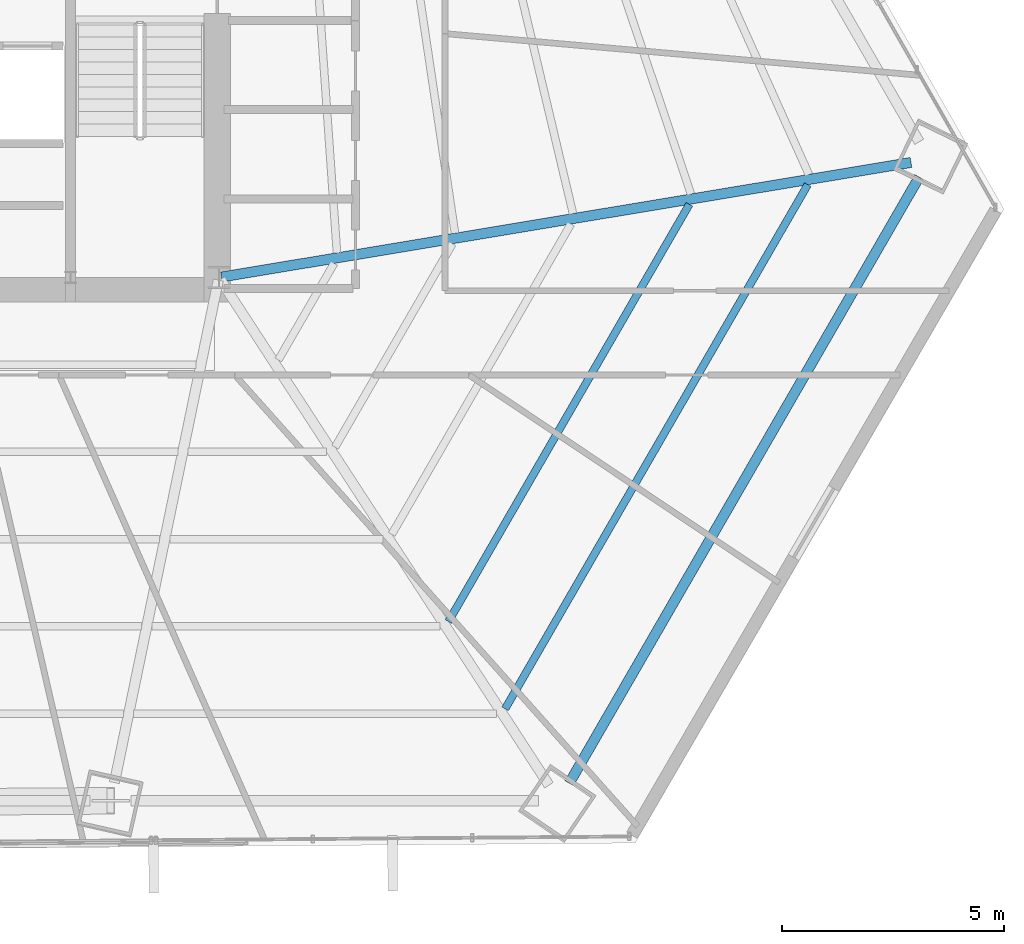
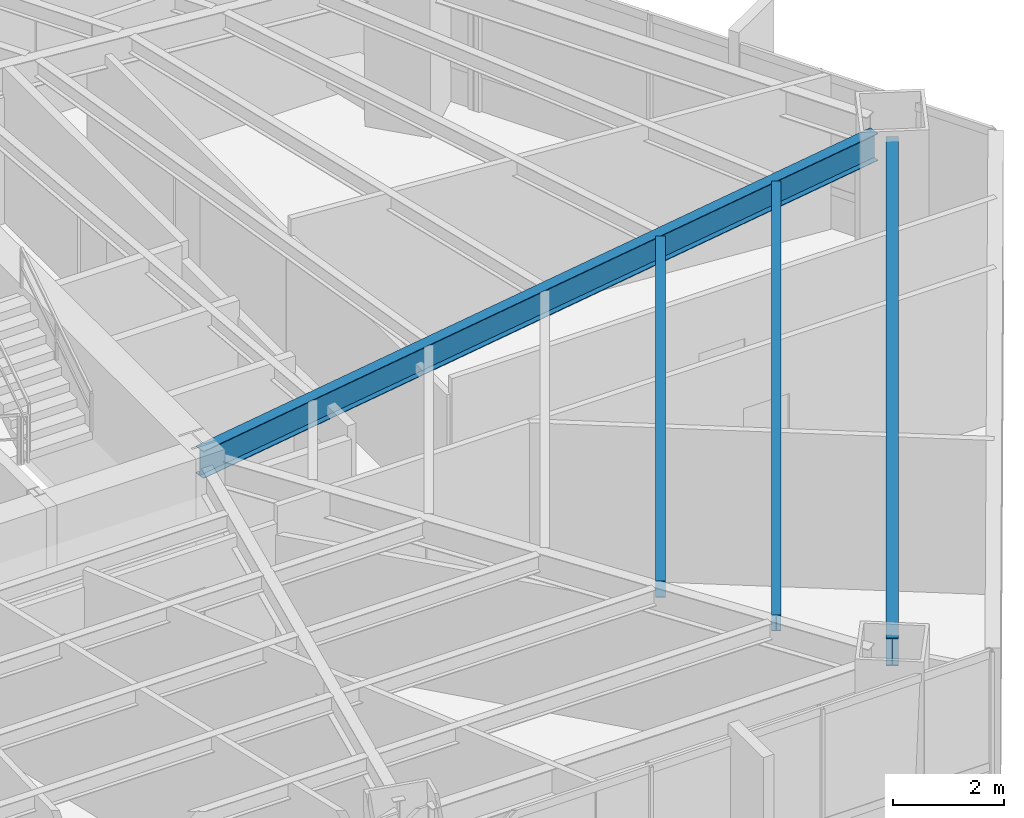
# One storey, part 19 of 36: 4 beams.
"""IFC4 building model written with IfcOpenShell, lengths in metres."""

import ifcopenshell
import ifcopenshell.guid

model = None  # the IFC model being written
_history = None  # IfcOwnerHistory: only IFC2X3 demands one
_inside = {}  # id of a spatial element -> (the spatial element, [elements in it])
_under = {}  # id of a project, library or spatial element -> (it, [spatial elements below it])
_declared = {}  # id of a project -> (the project, [libraries it declares])
_typed = {}  # id of a type object -> (the type object, [elements of that type])
_made_of = {}  # id of a material, layer set ... -> (it, [elements and type objects made of it])


def new_model(schema):
    """Start an empty IFC model of exactly this schema.

    Asked for "IFC4X3", IfcOpenShell would pick the latest addendum, in which some entities
    have other attributes; the version numbers below select the first issue.
    IFC2X3 requires an IfcOwnerHistory on every rooted entity: one is made here for all.
    """
    global model, _history
    if schema == "IFC4X3":
        model = ifcopenshell.file(schema_version=(4, 3, 0, 0))
    else:
        model = ifcopenshell.file(schema=schema)
    _inside.clear()
    _under.clear()
    _declared.clear()
    _typed.clear()
    _made_of.clear()
    _history = None
    if model.schema == "IFC2X3":
        org = make("IfcOrganization", Name="unknown")
        user = make(
            "IfcPersonAndOrganization",
            ThePerson=make("IfcPerson", FamilyName="unknown"),
            TheOrganization=org,
        )
        app = make(
            "IfcApplication",
            ApplicationDeveloper=org,
            Version="unknown",
            ApplicationFullName="unknown",
            ApplicationIdentifier="unknown",
        )
        _history = make(
            "IfcOwnerHistory",
            OwningUser=user,
            OwningApplication=app,
            ChangeAction="ADDED",
            CreationDate=0,
        )
    return model


def make(cls, **values):
    """One entity of the class cls with the attributes given. An attribute that is None is left unset."""
    return model.create_entity(
        cls, **{name: value for name, value in values.items() if value is not None}
    )


def rooted(cls, **values):
    """An entity with a GlobalId (a new one), such as an element, a storey or a relation."""
    return make(cls, GlobalId=ifcopenshell.guid.new(), OwnerHistory=_history, **values)


def si_unit(unit_type, name, prefix=None):
    """IfcSIUnit, for example si_unit("LENGTHUNIT", "METRE", prefix="MILLI")."""
    return make("IfcSIUnit", UnitType=unit_type, Prefix=prefix, Name=name)


def assignment(units):
    """IfcUnitAssignment: the units of a project."""
    return None if units is None else make("IfcUnitAssignment", Units=units)


def point(xyz):
    """IfcCartesianPoint."""
    return None if xyz is None else make("IfcCartesianPoint", Coordinates=xyz)


def direction(xyz):
    """IfcDirection."""
    return None if xyz is None else make("IfcDirection", DirectionRatios=xyz)


def frame(location, z_axis=None, x_axis=None):
    """IfcAxis2Placement3D, a coordinate frame: its origin and axes. An axis left out is left unset."""
    return make(
        "IfcAxis2Placement3D",
        Location=point(location),
        Axis=direction(z_axis),
        RefDirection=direction(x_axis),
    )


def frame_2d(location, x_axis=None):
    """IfcAxis2Placement2D, a coordinate frame in the plane: its origin and x axis."""
    return make(
        "IfcAxis2Placement2D", Location=point(location), RefDirection=direction(x_axis)
    )


def origin():
    """The frame at (0, 0, 0) with its axes left unset."""
    return frame((0.0, 0.0, 0.0))


def origin_2d():
    """The frame at (0, 0) in the plane with its x axis left unset."""
    return frame_2d((0.0, 0.0))


def place(relative_to, where):
    """IfcLocalPlacement: puts the frame where relative to a parent placement (None: the world)."""
    return make(
        "IfcLocalPlacement", PlacementRelTo=relative_to, RelativePlacement=where
    )


def context(
    kind, dimensions, precision=None, world=None, true_north=None, identifier=None
):
    """IfcGeometricRepresentationContext, for example the 3D "Model" context."""
    return make(
        "IfcGeometricRepresentationContext",
        ContextIdentifier=identifier,
        ContextType=kind,
        CoordinateSpaceDimension=dimensions,
        Precision=precision,
        WorldCoordinateSystem=world,
        TrueNorth=true_north,
    )


def subcontext(parent, identifier, kind, view, scale=None):
    """IfcGeometricRepresentationSubContext, for example "Body" below "Model"."""
    return make(
        "IfcGeometricRepresentationSubContext",
        ContextIdentifier=identifier,
        ContextType=kind,
        ParentContext=parent,
        TargetScale=scale,
        TargetView=view,
    )


def project(units=None, contexts=None):
    """IfcProject with its units and contexts."""
    return rooted(
        "IfcProject",
        Name="project",
        RepresentationContexts=contexts,
        UnitsInContext=assignment(units),
    )


def spatial(cls, under=None, at=None, **own):
    """A site, building, storey or space (cls), placed at a placement, below another one or the project."""
    s = rooted(cls, ObjectPlacement=at, **own)
    if under is not None:
        _under.setdefault(under.id(), (under, []))[1].append(s)
    return s


def profile(cls, at=None, kind="AREA", **sizes):
    """A parametric profile (cls). Its sizes go by their IFC names, for example OverallWidth=200.0."""
    return make(cls, ProfileType=kind, Position=at, **sizes)


def i_section(**sizes):
    """IfcIShapeProfileDef."""
    return profile("IfcIShapeProfileDef", **sizes)


def extrude(swept, where, along, depth):
    """IfcExtrudedAreaSolid: the profile swept, set in the frame where, extruded along a direction by depth."""
    return make(
        "IfcExtrudedAreaSolid",
        SweptArea=swept,
        Position=where,
        ExtrudedDirection=direction(along),
        Depth=depth,
    )


def shape(context_of_items, identifier, shape_type, items):
    """IfcShapeRepresentation: the items that make up one representation, for example the "Body"."""
    return make(
        "IfcShapeRepresentation",
        ContextOfItems=context_of_items,
        RepresentationIdentifier=identifier,
        RepresentationType=shape_type,
        Items=items,
    )


def source(mapping_origin, context_of_items, identifier, shape_type, items):
    """IfcRepresentationMap: a shape defined once, which mapped items show again and again."""
    return make(
        "IfcRepresentationMap",
        MappingOrigin=mapping_origin,
        MappedRepresentation=shape(context_of_items, identifier, shape_type, items),
    )


def transform(
    local_origin,
    x_axis=None,
    y_axis=None,
    z_axis=None,
    scale=None,
    scale2=None,
    scale3=None,
    uniform=True,
):
    """IfcCartesianTransformationOperator3D, or its non-uniform kind. x_axis, y_axis, z_axis: its Axis1, 2, 3."""
    if uniform:
        return make(
            "IfcCartesianTransformationOperator3D",
            Axis1=direction(x_axis),
            Axis2=direction(y_axis),
            LocalOrigin=point(local_origin),
            Scale=scale,
            Axis3=direction(z_axis),
        )
    return make(
        "IfcCartesianTransformationOperator3DnonUniform",
        Axis1=direction(x_axis),
        Axis2=direction(y_axis),
        LocalOrigin=point(local_origin),
        Scale=scale,
        Axis3=direction(z_axis),
        Scale2=scale2,
        Scale3=scale3,
    )


def mapped(mapping_source, mapping_target):
    """IfcMappedItem: shows the shape of a source again, moved by a transform."""
    return make(
        "IfcMappedItem", MappingSource=mapping_source, MappingTarget=mapping_target
    )


def material(Name=None, Category=None):
    """IfcMaterial."""
    return make("IfcMaterial", Name=Name, Category=Category)


def material_profile(
    of_material, cross_section, Name=None, Category=None, Priority=None
):
    """IfcMaterialProfile: a cross section and its material."""
    return make(
        "IfcMaterialProfile",
        Name=Name,
        Material=of_material,
        Profile=cross_section,
        Priority=Priority,
        Category=Category,
    )


def profile_set(profiles, Name=None, composite=None):
    """IfcMaterialProfileSet."""
    return make(
        "IfcMaterialProfileSet",
        Name=Name,
        MaterialProfiles=profiles,
        CompositeProfile=composite,
    )


def made_of(thing, what):
    """Note that an element or type object is made of a material, layer set ...; save() writes the relation."""
    if what is not None:
        _made_of.setdefault(what.id(), (what, []))[1].append(thing)
    return thing


def type_object(cls, material=None, **own):
    """A type object (cls), such as IfcWallType, which elements share."""
    return made_of(rooted(cls, **own), material)


def type_shapes(of_type, sources):
    """Give a type object the sources (RepresentationMaps) that its elements show as mapped items."""
    of_type.RepresentationMaps = sources


def element(
    cls,
    number,
    at=None,
    inside=None,
    cuts=None,
    type_object=None,
    material=None,
    context=None,
    identifier="Body",
    shape_type=None,
    held_by="IfcProductDefinitionShape",
    body=None,
    shapes=None,
    **own,
):
    """One element of the class cls, such as IfcWall. Its Tag is "e" and its number.

    at: its placement. inside: the storey or other place that contains it. cuts: it is an
    opening in that element (IfcRelVoidsElement). A single representation is given by context,
    identifier, shape_type and body (its items); several are given by shapes. held_by: the class
    of the entity that holds the representations. save() writes the other relations.
    """
    e = rooted(cls, Tag="e%d" % number, ObjectPlacement=at, **own)
    if body is not None:
        shapes = [shape(context, identifier, shape_type, body)]
    if shapes is not None:
        e.Representation = make(held_by, Representations=shapes)
    if inside is not None:
        _inside.setdefault(inside.id(), (inside, []))[1].append(e)
    if cuts is not None:
        rooted(
            "IfcRelVoidsElement", RelatingBuildingElement=cuts, RelatedOpeningElement=e
        )
    if type_object is not None:
        _typed.setdefault(type_object.id(), (type_object, []))[1].append(e)
    return made_of(e, material)


def aggregate(whole, parts):
    """IfcRelAggregates: a whole, such as a stair, and the parts it consists of."""
    return rooted("IfcRelAggregates", RelatingObject=whole, RelatedObjects=parts)


def save(model, path):
    """Write the relations noted so far, then the file.

    IfcRelAggregates (storeys below a building ...), IfcRelContainedInSpatialStructure (elements
    in a storey), IfcRelDefinesByType, IfcRelAssociatesMaterial and IfcRelDeclares: one each for
    every whole, place, type object, material and project.
    """
    for whole, parts in _under.values():
        aggregate(whole, parts)
    for where, things in _inside.values():
        rooted(
            "IfcRelContainedInSpatialStructure",
            RelatedElements=things,
            RelatingStructure=where,
        )
    for kind, things in _typed.values():
        rooted("IfcRelDefinesByType", RelatedObjects=things, RelatingType=kind)
    for what, things in _made_of.values():
        rooted("IfcRelAssociatesMaterial", RelatedObjects=things, RelatingMaterial=what)
    for by, libraries in _declared.values():
        rooted("IfcRelDeclares", RelatingContext=by, RelatedDefinitions=libraries)
    model.write(path)


model = new_model("IFC4")

# Units and contexts
model_context = context("Model", 3, precision=1e-05, world=origin(), true_north=direction((0.0, 1.0)))
body_context = subcontext(model_context, "Body", "Model", "MODEL_VIEW")
ifc_project = project(units=[si_unit("LENGTHUNIT", "METRE"), si_unit("AREAUNIT", "SQUARE_METRE"), si_unit("VOLUMEUNIT", "CUBIC_METRE"), si_unit("PLANEANGLEUNIT", "RADIAN"), si_unit("MASSUNIT", "GRAM", prefix="KILO")], contexts=[model_context])

# Site, building, storey
site_placement = place(None, origin())
site = spatial("IfcSite", under=ifc_project, at=site_placement, CompositionType="ELEMENT")
building_placement = place(site_placement, origin())
building = spatial("IfcBuilding", under=site, at=building_placement, Name="Caelisora Broadcast Tower", CompositionType="ELEMENT")
storey_placement = place(building_placement, frame((0.0, 0.0, 64.10009765625)))
storey = spatial("IfcBuildingStorey", under=building, at=storey_placement, Name="L16", CompositionType="ELEMENT", Elevation=64.10009765625)

# Beams
ifc_material = material(Name="Steel Grade 350 (AS/NZS 3679.1)", Category="steel")
ifc_material_profile_1 = material_profile(ifc_material, i_section(OverallWidth=0.22900390625, OverallDepth=0.611572265625, WebThickness=0.011962890625, FlangeThickness=0.01953125, at=origin_2d()), Name="Steel Grade 350 (AS/NZS 3679.1)")
ifc_profile_set_1 = profile_set([ifc_material_profile_1], Name="Steel Grade 350 (AS/NZS 3679.1)")
beam_type_1 = type_object("IfcBeamType", Name="PG03", PredefinedType="BEAM", material=ifc_profile_set_1)
shared_shape_1 = source(origin(), body_context, "Body", "SweptSolid", [
    extrude(i_section(OverallWidth=0.22900390625, OverallDepth=0.611572265625, WebThickness=0.011962890625, FlangeThickness=0.01953125, at=origin_2d()), origin(), (0.0, 0.0, 1.0), 15.784912109375),
])
type_shapes(beam_type_1, [shared_shape_1])
beam_1_placement = place(storey_placement, frame((53.403076171875, 5.99365234375, 3.093994140625), z_axis=(0.499993345929, 0.86602924548, 0.0), x_axis=(-0.86602924548, 0.499993345929, 0.0)))
element("IfcBeam", 1, at=beam_1_placement, inside=storey, type_object=beam_type_1, Name="L16 beam PG03", PredefinedType="BEAM", context=body_context, shape_type="MappedRepresentation", body=[
    mapped(shared_shape_1, transform((0.0, 0.0, 0.0), scale=1.0)),
])
ifc_material_profile_2 = material_profile(ifc_material, i_section(OverallWidth=0.22802734375, OverallDepth=0.602294921875, WebThickness=0.010498046875, FlangeThickness=0.014892578125, at=origin_2d()), Name="Steel Grade 350 (AS/NZS 3679.1)")
ifc_profile_set_2 = profile_set([ifc_material_profile_2], Name="Steel Grade 350 (AS/NZS 3679.1)")
beam_type_2 = type_object("IfcBeamType", Name="PG04", PredefinedType="BEAM", material=ifc_profile_set_2)
shared_shape_2 = source(origin(), body_context, "Body", "SweptSolid", [
    extrude(i_section(OverallWidth=0.22802734375, OverallDepth=0.602294921875, WebThickness=0.010498046875, FlangeThickness=0.014892578125, at=origin_2d()), origin(), (0.0, 0.0, 1.0), 15.76513671875),
])
type_shapes(beam_type_2, [shared_shape_2])
beam_2_placement = place(storey_placement, frame((45.55908203125, 17.409912109375, 3.098876953125), z_axis=(0.986481259841, 0.163874110165, 0.0), x_axis=(-0.163874110165, 0.986481259841, 0.0)))
element("IfcBeam", 2, at=beam_2_placement, inside=storey, type_object=beam_type_2, Name="L16 beam PG04", PredefinedType="BEAM", context=body_context, shape_type="MappedRepresentation", body=[
    mapped(shared_shape_2, transform((0.0, 0.0, 0.0), scale=1.0)),
])
ifc_material_profile_3 = material_profile(ifc_material, i_section(OverallWidth=0.172119140625, OverallDepth=0.358642578125, WebThickness=0.008056640625, FlangeThickness=0.012939453125, at=origin_2d()), Name="Steel Grade 350 (AS/NZS 3679.1)")
ifc_profile_set_3 = profile_set([ifc_material_profile_3], Name="Steel Grade 350 (AS/NZS 3679.1)")
beam_type_3 = type_object("IfcBeamType", Name="SB02", PredefinedType="JOIST", material=ifc_profile_set_3)
shared_shape_3 = source(origin(), body_context, "Body", "SweptSolid", [
    extrude(i_section(OverallWidth=0.172119140625, OverallDepth=0.358642578125, WebThickness=0.008056640625, FlangeThickness=0.012939453125, at=origin_2d()), origin(), (0.0, 0.0, 1.0), 10.8671875),
])
beam_3_placement = place(storey_placement, frame((50.677734375, 9.638427734375, 3.220703125), z_axis=(0.500005085581, 0.866022467603, 0.0), x_axis=(-0.866022467603, 0.500005085581, 0.0)))
element("IfcBeam", 3, at=beam_3_placement, inside=storey, type_object=beam_type_3, Name="L16 beam SB02", PredefinedType="JOIST", context=body_context, shape_type="MappedRepresentation", body=[
    mapped(shared_shape_3, transform((0.0, 0.0, 0.0), scale=1.0)),
])
shared_shape_4 = source(origin(), body_context, "Body", "SweptSolid", [
    extrude(i_section(OverallWidth=0.172119140625, OverallDepth=0.358642578125, WebThickness=0.008056640625, FlangeThickness=0.012939453125, at=origin_2d()), origin(), (0.0, 0.0, 1.0), 13.651123046875),
])
type_shapes(beam_type_3, [shared_shape_3, shared_shape_4])
beam_4_placement = place(storey_placement, frame((51.956787109375, 7.6708984375, 3.220703125), z_axis=(0.499991825478, 0.866030123295, 0.0), x_axis=(-0.866030123295, 0.499991825478, 0.0)))
element("IfcBeam", 4, at=beam_4_placement, inside=storey, type_object=beam_type_3, Name="L16 beam SB02", PredefinedType="JOIST", context=body_context, shape_type="MappedRepresentation", body=[
    mapped(shared_shape_4, transform((0.0, 0.0, 0.0), scale=1.0)),
])

save(model, "model.ifc")
